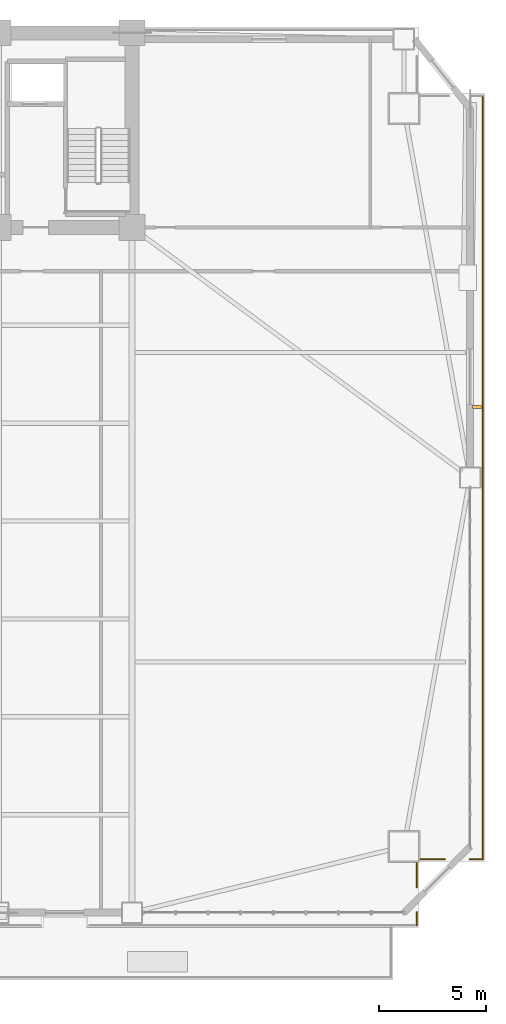
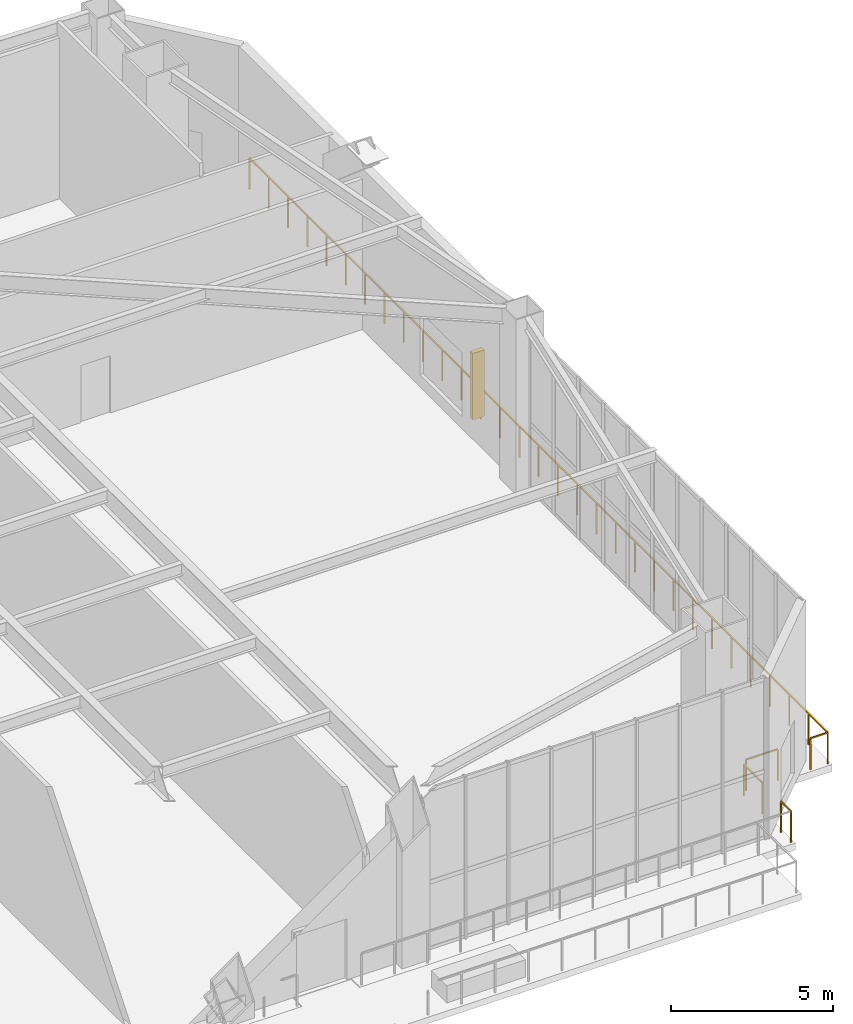
# One storey, part 20 of 22: 5 railings, 1 shading device.
"""IFC4 building model written with IfcOpenShell, lengths in metres."""

import ifcopenshell
import ifcopenshell.guid

model = None  # the IFC model being written
_history = None  # IfcOwnerHistory: only IFC2X3 demands one
_inside = {}  # id of a spatial element -> (the spatial element, [elements in it])
_under = {}  # id of a project, library or spatial element -> (it, [spatial elements below it])
_declared = {}  # id of a project -> (the project, [libraries it declares])
_typed = {}  # id of a type object -> (the type object, [elements of that type])
_made_of = {}  # id of a material, layer set ... -> (it, [elements and type objects made of it])


def new_model(schema):
    """Start an empty IFC model of exactly this schema.

    Asked for "IFC4X3", IfcOpenShell would pick the latest addendum, in which some entities
    have other attributes; the version numbers below select the first issue.
    IFC2X3 requires an IfcOwnerHistory on every rooted entity: one is made here for all.
    """
    global model, _history
    if schema == "IFC4X3":
        model = ifcopenshell.file(schema_version=(4, 3, 0, 0))
    else:
        model = ifcopenshell.file(schema=schema)
    _inside.clear()
    _under.clear()
    _declared.clear()
    _typed.clear()
    _made_of.clear()
    _history = None
    if model.schema == "IFC2X3":
        org = make("IfcOrganization", Name="unknown")
        user = make(
            "IfcPersonAndOrganization",
            ThePerson=make("IfcPerson", FamilyName="unknown"),
            TheOrganization=org,
        )
        app = make(
            "IfcApplication",
            ApplicationDeveloper=org,
            Version="unknown",
            ApplicationFullName="unknown",
            ApplicationIdentifier="unknown",
        )
        _history = make(
            "IfcOwnerHistory",
            OwningUser=user,
            OwningApplication=app,
            ChangeAction="ADDED",
            CreationDate=0,
        )
    return model


def make(cls, **values):
    """One entity of the class cls with the attributes given. An attribute that is None is left unset."""
    return model.create_entity(
        cls, **{name: value for name, value in values.items() if value is not None}
    )


def rooted(cls, **values):
    """An entity with a GlobalId (a new one), such as an element, a storey or a relation."""
    return make(cls, GlobalId=ifcopenshell.guid.new(), OwnerHistory=_history, **values)


def si_unit(unit_type, name, prefix=None):
    """IfcSIUnit, for example si_unit("LENGTHUNIT", "METRE", prefix="MILLI")."""
    return make("IfcSIUnit", UnitType=unit_type, Prefix=prefix, Name=name)


def assignment(units):
    """IfcUnitAssignment: the units of a project."""
    return None if units is None else make("IfcUnitAssignment", Units=units)


def point(xyz):
    """IfcCartesianPoint."""
    return None if xyz is None else make("IfcCartesianPoint", Coordinates=xyz)


def direction(xyz):
    """IfcDirection."""
    return None if xyz is None else make("IfcDirection", DirectionRatios=xyz)


def frame(location, z_axis=None, x_axis=None):
    """IfcAxis2Placement3D, a coordinate frame: its origin and axes. An axis left out is left unset."""
    return make(
        "IfcAxis2Placement3D",
        Location=point(location),
        Axis=direction(z_axis),
        RefDirection=direction(x_axis),
    )


def frame_2d(location, x_axis=None):
    """IfcAxis2Placement2D, a coordinate frame in the plane: its origin and x axis."""
    return make(
        "IfcAxis2Placement2D", Location=point(location), RefDirection=direction(x_axis)
    )


def origin():
    """The frame at (0, 0, 0) with its axes left unset."""
    return frame((0.0, 0.0, 0.0))


def origin_2d():
    """The frame at (0, 0) in the plane with its x axis left unset."""
    return frame_2d((0.0, 0.0))


def place(relative_to, where):
    """IfcLocalPlacement: puts the frame where relative to a parent placement (None: the world)."""
    return make(
        "IfcLocalPlacement", PlacementRelTo=relative_to, RelativePlacement=where
    )


def context(
    kind, dimensions, precision=None, world=None, true_north=None, identifier=None
):
    """IfcGeometricRepresentationContext, for example the 3D "Model" context."""
    return make(
        "IfcGeometricRepresentationContext",
        ContextIdentifier=identifier,
        ContextType=kind,
        CoordinateSpaceDimension=dimensions,
        Precision=precision,
        WorldCoordinateSystem=world,
        TrueNorth=true_north,
    )


def subcontext(parent, identifier, kind, view, scale=None):
    """IfcGeometricRepresentationSubContext, for example "Body" below "Model"."""
    return make(
        "IfcGeometricRepresentationSubContext",
        ContextIdentifier=identifier,
        ContextType=kind,
        ParentContext=parent,
        TargetScale=scale,
        TargetView=view,
    )


def project(units=None, contexts=None):
    """IfcProject with its units and contexts."""
    return rooted(
        "IfcProject",
        Name="project",
        RepresentationContexts=contexts,
        UnitsInContext=assignment(units),
    )


def spatial(cls, under=None, at=None, **own):
    """A site, building, storey or space (cls), placed at a placement, below another one or the project."""
    s = rooted(cls, ObjectPlacement=at, **own)
    if under is not None:
        _under.setdefault(under.id(), (under, []))[1].append(s)
    return s


def profile(cls, at=None, kind="AREA", **sizes):
    """A parametric profile (cls). Its sizes go by their IFC names, for example OverallWidth=200.0."""
    return make(cls, ProfileType=kind, Position=at, **sizes)


def rectangle(**sizes):
    """IfcRectangleProfileDef."""
    return profile("IfcRectangleProfileDef", **sizes)


def extrude(swept, where, along, depth):
    """IfcExtrudedAreaSolid: the profile swept, set in the frame where, extruded along a direction by depth."""
    return make(
        "IfcExtrudedAreaSolid",
        SweptArea=swept,
        Position=where,
        ExtrudedDirection=direction(along),
        Depth=depth,
    )


def shape(context_of_items, identifier, shape_type, items):
    """IfcShapeRepresentation: the items that make up one representation, for example the "Body"."""
    return make(
        "IfcShapeRepresentation",
        ContextOfItems=context_of_items,
        RepresentationIdentifier=identifier,
        RepresentationType=shape_type,
        Items=items,
    )


def source(mapping_origin, context_of_items, identifier, shape_type, items):
    """IfcRepresentationMap: a shape defined once, which mapped items show again and again."""
    return make(
        "IfcRepresentationMap",
        MappingOrigin=mapping_origin,
        MappedRepresentation=shape(context_of_items, identifier, shape_type, items),
    )


def transform(
    local_origin,
    x_axis=None,
    y_axis=None,
    z_axis=None,
    scale=None,
    scale2=None,
    scale3=None,
    uniform=True,
):
    """IfcCartesianTransformationOperator3D, or its non-uniform kind. x_axis, y_axis, z_axis: its Axis1, 2, 3."""
    if uniform:
        return make(
            "IfcCartesianTransformationOperator3D",
            Axis1=direction(x_axis),
            Axis2=direction(y_axis),
            LocalOrigin=point(local_origin),
            Scale=scale,
            Axis3=direction(z_axis),
        )
    return make(
        "IfcCartesianTransformationOperator3DnonUniform",
        Axis1=direction(x_axis),
        Axis2=direction(y_axis),
        LocalOrigin=point(local_origin),
        Scale=scale,
        Axis3=direction(z_axis),
        Scale2=scale2,
        Scale3=scale3,
    )


def mapped(mapping_source, mapping_target):
    """IfcMappedItem: shows the shape of a source again, moved by a transform."""
    return make(
        "IfcMappedItem", MappingSource=mapping_source, MappingTarget=mapping_target
    )


def material(Name=None, Category=None):
    """IfcMaterial."""
    return make("IfcMaterial", Name=Name, Category=Category)


def made_of(thing, what):
    """Note that an element or type object is made of a material, layer set ...; save() writes the relation."""
    if what is not None:
        _made_of.setdefault(what.id(), (what, []))[1].append(thing)
    return thing


def type_object(cls, material=None, **own):
    """A type object (cls), such as IfcWallType, which elements share."""
    return made_of(rooted(cls, **own), material)


def element(
    cls,
    number,
    at=None,
    inside=None,
    cuts=None,
    type_object=None,
    material=None,
    context=None,
    identifier="Body",
    shape_type=None,
    held_by="IfcProductDefinitionShape",
    body=None,
    shapes=None,
    **own,
):
    """One element of the class cls, such as IfcWall. Its Tag is "e" and its number.

    at: its placement. inside: the storey or other place that contains it. cuts: it is an
    opening in that element (IfcRelVoidsElement). A single representation is given by context,
    identifier, shape_type and body (its items); several are given by shapes. held_by: the class
    of the entity that holds the representations. save() writes the other relations.
    """
    e = rooted(cls, Tag="e%d" % number, ObjectPlacement=at, **own)
    if body is not None:
        shapes = [shape(context, identifier, shape_type, body)]
    if shapes is not None:
        e.Representation = make(held_by, Representations=shapes)
    if inside is not None:
        _inside.setdefault(inside.id(), (inside, []))[1].append(e)
    if cuts is not None:
        rooted(
            "IfcRelVoidsElement", RelatingBuildingElement=cuts, RelatedOpeningElement=e
        )
    if type_object is not None:
        _typed.setdefault(type_object.id(), (type_object, []))[1].append(e)
    return made_of(e, material)


def aggregate(whole, parts):
    """IfcRelAggregates: a whole, such as a stair, and the parts it consists of."""
    return rooted("IfcRelAggregates", RelatingObject=whole, RelatedObjects=parts)


def save(model, path):
    """Write the relations noted so far, then the file.

    IfcRelAggregates (storeys below a building ...), IfcRelContainedInSpatialStructure (elements
    in a storey), IfcRelDefinesByType, IfcRelAssociatesMaterial and IfcRelDeclares: one each for
    every whole, place, type object, material and project.
    """
    for whole, parts in _under.values():
        aggregate(whole, parts)
    for where, things in _inside.values():
        rooted(
            "IfcRelContainedInSpatialStructure",
            RelatedElements=things,
            RelatingStructure=where,
        )
    for kind, things in _typed.values():
        rooted("IfcRelDefinesByType", RelatedObjects=things, RelatingType=kind)
    for what, things in _made_of.values():
        rooted("IfcRelAssociatesMaterial", RelatedObjects=things, RelatingMaterial=what)
    for by, libraries in _declared.values():
        rooted("IfcRelDeclares", RelatingContext=by, RelatedDefinitions=libraries)
    model.write(path)


model = new_model("IFC4")

# Units and contexts
model_context = context("Model", 3, precision=1e-05, world=origin(), true_north=direction((0.0, 1.0)))
body_context = subcontext(model_context, "Body", "Model", "MODEL_VIEW")
ifc_project = project(units=[si_unit("LENGTHUNIT", "METRE"), si_unit("AREAUNIT", "SQUARE_METRE"), si_unit("VOLUMEUNIT", "CUBIC_METRE"), si_unit("PLANEANGLEUNIT", "RADIAN"), si_unit("MASSUNIT", "GRAM", prefix="KILO")], contexts=[model_context])

# Site, building, storey
site_placement = place(None, origin())
site = spatial("IfcSite", under=ifc_project, at=site_placement, CompositionType="ELEMENT")
building_placement = place(site_placement, origin())
building = spatial("IfcBuilding", under=site, at=building_placement, Name="Giltprow Tower", CompositionType="ELEMENT")
storey_placement = place(building_placement, frame((0.0, 0.0, 72.800048828125)))
storey = spatial("IfcBuildingStorey", under=building, at=storey_placement, Name="L18", CompositionType="ELEMENT", Elevation=72.800048828125)

# Railings
ifc_material = material(Name="Anodized bronze", Category="metal")
railing_type = type_object("IfcRailingType", Name="RAIL-BALC-GUARD-1200", PredefinedType="BALUSTRADE", material=ifc_material)
railing_1_placement = place(storey_placement, frame((66.9609375, 43.60400390625, 0.0)))
element("IfcRailing", 1, at=railing_1_placement, inside=storey, type_object=railing_type, Name="L18 Corner Apron Edge Balustrade 14", PredefinedType="BALUSTRADE", context=body_context, shape_type="SweptSolid", body=[
    extrude(rectangle(XDim=0.048095703125, YDim=0.048095703125, at=origin_2d()), frame((0.0, 0.0, 1.17578125), z_axis=(0.0, -1.0, 0.0), x_axis=(1.0, 0.0, 0.0)), (0.0, 0.0, 1.0), 35.698974609375),
    extrude(rectangle(XDim=0.0419921875, YDim=0.0419921875, at=origin_2d()), origin(), (0.0, 0.0, 1.0), 1.15185546875),
    extrude(rectangle(XDim=0.0419921875, YDim=0.0419921875, at=origin_2d()), frame((0.0, -1.18994140625, 0.0)), (0.0, 0.0, 1.0), 1.15185546875),
    extrude(rectangle(XDim=0.0419921875, YDim=0.0419921875, at=origin_2d()), frame((0.0, -2.3798828125, 0.0)), (0.0, 0.0, 1.0), 1.15185546875),
    extrude(rectangle(XDim=0.0419921875, YDim=0.0419921875, at=origin_2d()), frame((0.0, -3.56982421875, 0.0)), (0.0, 0.0, 1.0), 1.15185546875),
    extrude(rectangle(XDim=0.0419921875, YDim=0.0419921875, at=origin_2d()), frame((0.0, -4.759765625, 0.0)), (0.0, 0.0, 1.0), 1.15185546875),
    extrude(rectangle(XDim=0.0419921875, YDim=0.0419921875, at=origin_2d()), frame((0.0, -5.94970703125, 0.0)), (0.0, 0.0, 1.0), 1.15185546875),
    extrude(rectangle(XDim=0.0419921875, YDim=0.0419921875, at=origin_2d()), frame((0.0, -7.139892578125, 0.0)), (0.0, 0.0, 1.0), 1.15185546875),
    extrude(rectangle(XDim=0.0419921875, YDim=0.0419921875, at=origin_2d()), frame((0.0, -8.329833984375, 0.0)), (0.0, 0.0, 1.0), 1.15185546875),
    extrude(rectangle(XDim=0.0419921875, YDim=0.0419921875, at=origin_2d()), frame((0.0, -9.519775390625, 0.0)), (0.0, 0.0, 1.0), 1.15185546875),
    extrude(rectangle(XDim=0.0419921875, YDim=0.0419921875, at=origin_2d()), frame((0.0, -10.709716796875, 0.0)), (0.0, 0.0, 1.0), 1.15185546875),
    extrude(rectangle(XDim=0.0419921875, YDim=0.0419921875, at=origin_2d()), frame((0.0, -11.899658203125, 0.0)), (0.0, 0.0, 1.0), 1.15185546875),
    extrude(rectangle(XDim=0.0419921875, YDim=0.0419921875, at=origin_2d()), frame((0.0, -13.089599609375, 0.0)), (0.0, 0.0, 1.0), 1.15185546875),
    extrude(rectangle(XDim=0.0419921875, YDim=0.0419921875, at=origin_2d()), frame((0.0, -14.279541015625, 0.0)), (0.0, 0.0, 1.0), 1.15185546875),
    extrude(rectangle(XDim=0.0419921875, YDim=0.0419921875, at=origin_2d()), frame((0.0, -15.469482421875, 0.0)), (0.0, 0.0, 1.0), 1.15185546875),
    extrude(rectangle(XDim=0.0419921875, YDim=0.0419921875, at=origin_2d()), frame((0.0, -16.659423828125, 0.0)), (0.0, 0.0, 1.0), 1.15185546875),
    extrude(rectangle(XDim=0.0419921875, YDim=0.0419921875, at=origin_2d()), frame((0.0, -17.849609375, 0.0)), (0.0, 0.0, 1.0), 1.15185546875),
    extrude(rectangle(XDim=0.0419921875, YDim=0.0419921875, at=origin_2d()), frame((0.0, -19.03955078125, 0.0)), (0.0, 0.0, 1.0), 1.15185546875),
    extrude(rectangle(XDim=0.0419921875, YDim=0.0419921875, at=origin_2d()), frame((0.0, -20.2294921875, 0.0)), (0.0, 0.0, 1.0), 1.15185546875),
    extrude(rectangle(XDim=0.0419921875, YDim=0.0419921875, at=origin_2d()), frame((0.0, -21.41943359375, 0.0)), (0.0, 0.0, 1.0), 1.15185546875),
    extrude(rectangle(XDim=0.0419921875, YDim=0.0419921875, at=origin_2d()), frame((0.0, -22.609375, 0.0)), (0.0, 0.0, 1.0), 1.15185546875),
    extrude(rectangle(XDim=0.0419921875, YDim=0.0419921875, at=origin_2d()), frame((0.0, -23.79931640625, 0.0)), (0.0, 0.0, 1.0), 1.15185546875),
    extrude(rectangle(XDim=0.0419921875, YDim=0.0419921875, at=origin_2d()), frame((0.0, -24.9892578125, 0.0)), (0.0, 0.0, 1.0), 1.15185546875),
    extrude(rectangle(XDim=0.0419921875, YDim=0.0419921875, at=origin_2d()), frame((0.0, -26.17919921875, 0.0)), (0.0, 0.0, 1.0), 1.15185546875),
    extrude(rectangle(XDim=0.0419921875, YDim=0.0419921875, at=origin_2d()), frame((0.0, -27.369140625, 0.0)), (0.0, 0.0, 1.0), 1.15185546875),
    extrude(rectangle(XDim=0.0419921875, YDim=0.0419921875, at=origin_2d()), frame((0.0, -28.55908203125, 0.0)), (0.0, 0.0, 1.0), 1.15185546875),
    extrude(rectangle(XDim=0.0419921875, YDim=0.0419921875, at=origin_2d()), frame((0.0, -29.7490234375, 0.0)), (0.0, 0.0, 1.0), 1.15185546875),
    extrude(rectangle(XDim=0.0419921875, YDim=0.0419921875, at=origin_2d()), frame((0.0, -30.939208984375, 0.0)), (0.0, 0.0, 1.0), 1.15185546875),
    extrude(rectangle(XDim=0.0419921875, YDim=0.0419921875, at=origin_2d()), frame((0.0, -32.129150390625, 0.0)), (0.0, 0.0, 1.0), 1.15185546875),
    extrude(rectangle(XDim=0.0419921875, YDim=0.0419921875, at=origin_2d()), frame((0.0, -33.319091796875, 0.0)), (0.0, 0.0, 1.0), 1.15185546875),
    extrude(rectangle(XDim=0.0419921875, YDim=0.0419921875, at=origin_2d()), frame((0.0, -34.509033203125, 0.0)), (0.0, 0.0, 1.0), 1.15185546875),
    extrude(rectangle(XDim=0.0419921875, YDim=0.0419921875, at=origin_2d()), frame((0.0, -35.698974609375, 0.0)), (0.0, 0.0, 1.0), 1.15185546875),
])
railing_2_placement = place(storey_placement, frame((66.9609375, 7.905029296875, 0.0)))
element("IfcRailing", 2, at=railing_2_placement, inside=storey, type_object=railing_type, Name="L18 Corner Apron Edge Balustrade 15", PredefinedType="BALUSTRADE", context=body_context, shape_type="SweptSolid", body=[
    extrude(rectangle(XDim=0.048095703125, YDim=0.048095703125, at=origin_2d()), frame((0.0, 0.0, 1.17578125), z_axis=(-1.0, 0.0, 0.0), x_axis=(0.0, -1.0, 0.0)), (0.0, 0.0, 1.0), 0.619873046875),
    extrude(rectangle(XDim=0.0419921875, YDim=0.0419921875, at=origin_2d()), origin(), (0.0, 0.0, 1.0), 1.15185546875),
    extrude(rectangle(XDim=0.0419921875, YDim=0.0419921875, at=origin_2d()), frame((-0.619873046875, 0.0, 0.0)), (0.0, 0.0, 1.0), 1.15185546875),
])
railing_3_placement = place(storey_placement, frame((65.180908203125, 7.905029296875, 0.0)))
element("IfcRailing", 3, at=railing_3_placement, inside=storey, type_object=railing_type, Name="L18 Corner Apron Edge Balustrade 16", PredefinedType="BALUSTRADE", context=body_context, shape_type="SweptSolid", body=[
    extrude(rectangle(XDim=0.048095703125, YDim=0.048095703125, at=origin_2d()), frame((0.0, 0.0, 1.17578125), z_axis=(-1.0, 0.0, 0.0), x_axis=(0.0, -1.0, 0.0)), (0.0, 0.0, 1.0), 1.130859375),
    extrude(rectangle(XDim=0.0419921875, YDim=0.0419921875, at=origin_2d()), origin(), (0.0, 0.0, 1.0), 1.15185546875),
    extrude(rectangle(XDim=0.0419921875, YDim=0.0419921875, at=origin_2d()), frame((-1.130859375, 0.0, 0.0)), (0.0, 0.0, 1.0), 1.15185546875),
])
railing_4_placement = place(storey_placement, frame((63.864990234375, 7.719970703125, 0.0)))
element("IfcRailing", 4, at=railing_4_placement, inside=storey, type_object=railing_type, Name="L18 Corner Apron Edge Balustrade 17", PredefinedType="BALUSTRADE", context=body_context, shape_type="SweptSolid", body=[
    extrude(rectangle(XDim=0.048095703125, YDim=0.048095703125, at=origin_2d()), frame((0.0, 0.0, 1.17578125), z_axis=(0.0, -1.0, 0.0), x_axis=(1.0, 0.0, 0.0)), (0.0, 0.0, 1.0), 1.130859375),
    extrude(rectangle(XDim=0.0419921875, YDim=0.0419921875, at=origin_2d()), origin(), (0.0, 0.0, 1.0), 1.15185546875),
    extrude(rectangle(XDim=0.0419921875, YDim=0.0419921875, at=origin_2d()), frame((0.0, -1.130859375, 0.0)), (0.0, 0.0, 1.0), 1.15185546875),
])
railing_5_placement = place(storey_placement, frame((63.864990234375, 5.428955078125, 0.0)))
element("IfcRailing", 5, at=railing_5_placement, inside=storey, type_object=railing_type, Name="L18 Corner Apron Edge Balustrade 18", PredefinedType="BALUSTRADE", context=body_context, shape_type="SweptSolid", body=[
    extrude(rectangle(XDim=0.048095703125, YDim=0.048095703125, at=origin_2d()), frame((0.0, 0.0, 1.17578125), z_axis=(0.0, -1.0, 0.0), x_axis=(1.0, 0.0, 0.0)), (0.0, 0.0, 1.0), 0.619873046875),
    extrude(rectangle(XDim=0.0419921875, YDim=0.0419921875, at=origin_2d()), origin(), (0.0, 0.0, 1.0), 1.15185546875),
    extrude(rectangle(XDim=0.0419921875, YDim=0.0419921875, at=origin_2d()), frame((0.0, -0.619873046875, 0.0)), (0.0, 0.0, 1.0), 1.15185546875),
])

# Shading device
shading_device_type = type_object("IfcShadingDeviceType", Name="SHD-FIN-420", PredefinedType="USERDEFINED", material=ifc_material)
shared_shape = source(origin(), body_context, "Body", "SweptSolid", [
    extrude(rectangle(XDim=0.419921875, YDim=0.159912109375, at=origin_2d()), origin(), (0.0, 0.0, 1.0), 2.5),
])
shading_device_placement = place(storey_placement, frame((66.680908203125, 29.053955078125, 0.349853515625), z_axis=(0.0, 0.0, 1.0), x_axis=(1.0, 0.0, 0.0)))
element("IfcShadingDevice", 6, at=shading_device_placement, inside=storey, type_object=shading_device_type, Name="L18 E Bronze Vertical Fin 2-1", ObjectType="FIN", PredefinedType="USERDEFINED", context=body_context, shape_type="MappedRepresentation", body=[
    mapped(shared_shape, transform((0.0, 0.0, 0.0), x_axis=(1.0, 0.0, 0.0), y_axis=(0.0, 1.0, 0.0), z_axis=(0.0, 0.0, 1.0), scale=1.0)),
])

save(model, "model.ifc")
